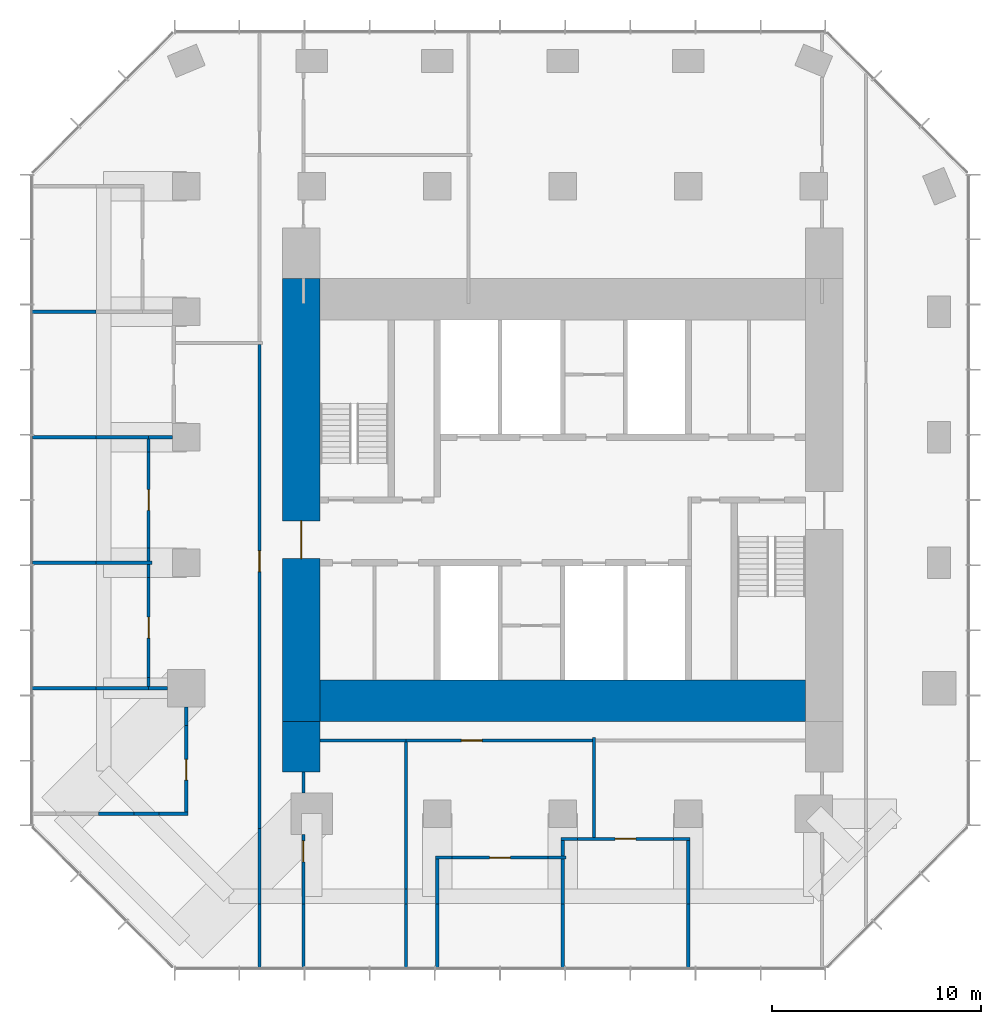
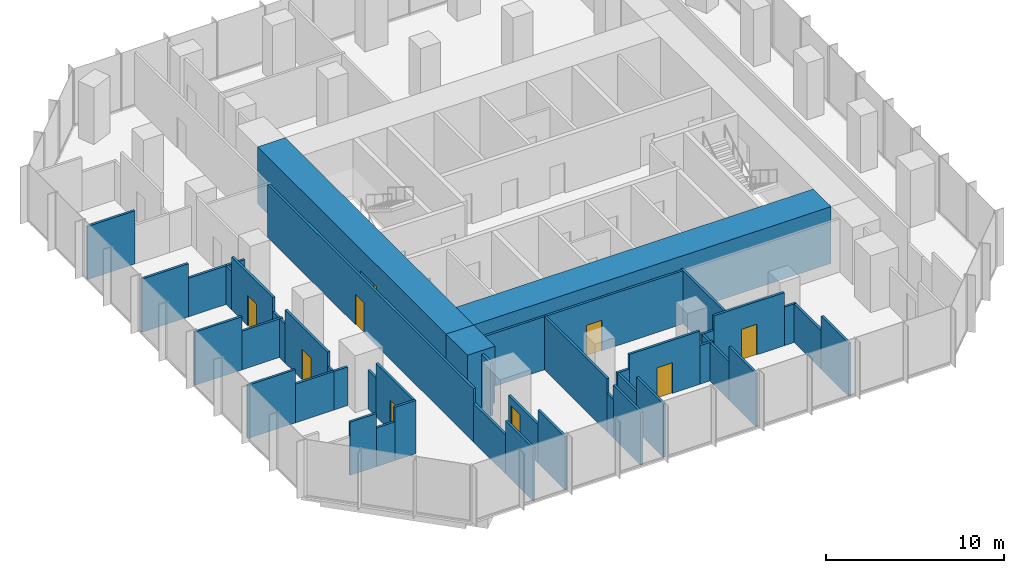
# One storey, part 8 of 11: 48 walls, 9 doors, 9 openings.
"""IFC4 building model written with IfcOpenShell, lengths in metres."""

import ifcopenshell
import ifcopenshell.guid

model = None  # the IFC model being written
_history = None  # IfcOwnerHistory: only IFC2X3 demands one
_inside = {}  # id of a spatial element -> (the spatial element, [elements in it])
_under = {}  # id of a project, library or spatial element -> (it, [spatial elements below it])
_declared = {}  # id of a project -> (the project, [libraries it declares])
_typed = {}  # id of a type object -> (the type object, [elements of that type])
_made_of = {}  # id of a material, layer set ... -> (it, [elements and type objects made of it])


def new_model(schema):
    """Start an empty IFC model of exactly this schema.

    Asked for "IFC4X3", IfcOpenShell would pick the latest addendum, in which some entities
    have other attributes; the version numbers below select the first issue.
    IFC2X3 requires an IfcOwnerHistory on every rooted entity: one is made here for all.
    """
    global model, _history
    if schema == "IFC4X3":
        model = ifcopenshell.file(schema_version=(4, 3, 0, 0))
    else:
        model = ifcopenshell.file(schema=schema)
    _inside.clear()
    _under.clear()
    _declared.clear()
    _typed.clear()
    _made_of.clear()
    _history = None
    if model.schema == "IFC2X3":
        org = make("IfcOrganization", Name="unknown")
        user = make(
            "IfcPersonAndOrganization",
            ThePerson=make("IfcPerson", FamilyName="unknown"),
            TheOrganization=org,
        )
        app = make(
            "IfcApplication",
            ApplicationDeveloper=org,
            Version="unknown",
            ApplicationFullName="unknown",
            ApplicationIdentifier="unknown",
        )
        _history = make(
            "IfcOwnerHistory",
            OwningUser=user,
            OwningApplication=app,
            ChangeAction="ADDED",
            CreationDate=0,
        )
    return model


def make(cls, **values):
    """One entity of the class cls with the attributes given. An attribute that is None is left unset."""
    return model.create_entity(
        cls, **{name: value for name, value in values.items() if value is not None}
    )


def rooted(cls, **values):
    """An entity with a GlobalId (a new one), such as an element, a storey or a relation."""
    return make(cls, GlobalId=ifcopenshell.guid.new(), OwnerHistory=_history, **values)


def si_unit(unit_type, name, prefix=None):
    """IfcSIUnit, for example si_unit("LENGTHUNIT", "METRE", prefix="MILLI")."""
    return make("IfcSIUnit", UnitType=unit_type, Prefix=prefix, Name=name)


def assignment(units):
    """IfcUnitAssignment: the units of a project."""
    return None if units is None else make("IfcUnitAssignment", Units=units)


def point(xyz):
    """IfcCartesianPoint."""
    return None if xyz is None else make("IfcCartesianPoint", Coordinates=xyz)


def direction(xyz):
    """IfcDirection."""
    return None if xyz is None else make("IfcDirection", DirectionRatios=xyz)


def frame(location, z_axis=None, x_axis=None):
    """IfcAxis2Placement3D, a coordinate frame: its origin and axes. An axis left out is left unset."""
    return make(
        "IfcAxis2Placement3D",
        Location=point(location),
        Axis=direction(z_axis),
        RefDirection=direction(x_axis),
    )


def frame_2d(location, x_axis=None):
    """IfcAxis2Placement2D, a coordinate frame in the plane: its origin and x axis."""
    return make(
        "IfcAxis2Placement2D", Location=point(location), RefDirection=direction(x_axis)
    )


def origin():
    """The frame at (0, 0, 0) with its axes left unset."""
    return frame((0.0, 0.0, 0.0))


def place(relative_to, where):
    """IfcLocalPlacement: puts the frame where relative to a parent placement (None: the world)."""
    return make(
        "IfcLocalPlacement", PlacementRelTo=relative_to, RelativePlacement=where
    )


def context(
    kind, dimensions, precision=None, world=None, true_north=None, identifier=None
):
    """IfcGeometricRepresentationContext, for example the 3D "Model" context."""
    return make(
        "IfcGeometricRepresentationContext",
        ContextIdentifier=identifier,
        ContextType=kind,
        CoordinateSpaceDimension=dimensions,
        Precision=precision,
        WorldCoordinateSystem=world,
        TrueNorth=true_north,
    )


def subcontext(parent, identifier, kind, view, scale=None):
    """IfcGeometricRepresentationSubContext, for example "Body" below "Model"."""
    return make(
        "IfcGeometricRepresentationSubContext",
        ContextIdentifier=identifier,
        ContextType=kind,
        ParentContext=parent,
        TargetScale=scale,
        TargetView=view,
    )


def project(units=None, contexts=None):
    """IfcProject with its units and contexts."""
    return rooted(
        "IfcProject",
        Name="project",
        RepresentationContexts=contexts,
        UnitsInContext=assignment(units),
    )


def spatial(cls, under=None, at=None, **own):
    """A site, building, storey or space (cls), placed at a placement, below another one or the project."""
    s = rooted(cls, ObjectPlacement=at, **own)
    if under is not None:
        _under.setdefault(under.id(), (under, []))[1].append(s)
    return s


def profile(cls, at=None, kind="AREA", **sizes):
    """A parametric profile (cls). Its sizes go by their IFC names, for example OverallWidth=200.0."""
    return make(cls, ProfileType=kind, Position=at, **sizes)


def rectangle(**sizes):
    """IfcRectangleProfileDef."""
    return profile("IfcRectangleProfileDef", **sizes)


def extrude(swept, where, along, depth):
    """IfcExtrudedAreaSolid: the profile swept, set in the frame where, extruded along a direction by depth."""
    return make(
        "IfcExtrudedAreaSolid",
        SweptArea=swept,
        Position=where,
        ExtrudedDirection=direction(along),
        Depth=depth,
    )


def shape(context_of_items, identifier, shape_type, items):
    """IfcShapeRepresentation: the items that make up one representation, for example the "Body"."""
    return make(
        "IfcShapeRepresentation",
        ContextOfItems=context_of_items,
        RepresentationIdentifier=identifier,
        RepresentationType=shape_type,
        Items=items,
    )


def material(Name=None, Category=None):
    """IfcMaterial."""
    return make("IfcMaterial", Name=Name, Category=Category)


def layer(
    of_material, thickness, ventilated=None, Name=None, Category=None, Priority=None
):
    """IfcMaterialLayer: one layer of a wall or slab, of a material (None: an air gap)."""
    return make(
        "IfcMaterialLayer",
        Material=of_material,
        LayerThickness=thickness,
        IsVentilated=ventilated,
        Name=Name,
        Category=Category,
        Priority=Priority,
    )


def layer_set(layers, Name=None):
    """IfcMaterialLayerSet."""
    return make("IfcMaterialLayerSet", MaterialLayers=layers, LayerSetName=Name)


def made_of(thing, what):
    """Note that an element or type object is made of a material, layer set ...; save() writes the relation."""
    if what is not None:
        _made_of.setdefault(what.id(), (what, []))[1].append(thing)
    return thing


def type_object(cls, material=None, **own):
    """A type object (cls), such as IfcWallType, which elements share."""
    return made_of(rooted(cls, **own), material)


def element(
    cls,
    number,
    at=None,
    inside=None,
    cuts=None,
    type_object=None,
    material=None,
    context=None,
    identifier="Body",
    shape_type=None,
    held_by="IfcProductDefinitionShape",
    body=None,
    shapes=None,
    **own,
):
    """One element of the class cls, such as IfcWall. Its Tag is "e" and its number.

    at: its placement. inside: the storey or other place that contains it. cuts: it is an
    opening in that element (IfcRelVoidsElement). A single representation is given by context,
    identifier, shape_type and body (its items); several are given by shapes. held_by: the class
    of the entity that holds the representations. save() writes the other relations.
    """
    e = rooted(cls, Tag="e%d" % number, ObjectPlacement=at, **own)
    if body is not None:
        shapes = [shape(context, identifier, shape_type, body)]
    if shapes is not None:
        e.Representation = make(held_by, Representations=shapes)
    if inside is not None:
        _inside.setdefault(inside.id(), (inside, []))[1].append(e)
    if cuts is not None:
        rooted(
            "IfcRelVoidsElement", RelatingBuildingElement=cuts, RelatedOpeningElement=e
        )
    if type_object is not None:
        _typed.setdefault(type_object.id(), (type_object, []))[1].append(e)
    return made_of(e, material)


def fill(opening, filler):
    """IfcRelFillsElement: the door or window that sits in an opening."""
    return rooted(
        "IfcRelFillsElement",
        RelatingOpeningElement=opening,
        RelatedBuildingElement=filler,
    )


def aggregate(whole, parts):
    """IfcRelAggregates: a whole, such as a stair, and the parts it consists of."""
    return rooted("IfcRelAggregates", RelatingObject=whole, RelatedObjects=parts)


def save(model, path):
    """Write the relations noted so far, then the file.

    IfcRelAggregates (storeys below a building ...), IfcRelContainedInSpatialStructure (elements
    in a storey), IfcRelDefinesByType, IfcRelAssociatesMaterial and IfcRelDeclares: one each for
    every whole, place, type object, material and project.
    """
    for whole, parts in _under.values():
        aggregate(whole, parts)
    for where, things in _inside.values():
        rooted(
            "IfcRelContainedInSpatialStructure",
            RelatedElements=things,
            RelatingStructure=where,
        )
    for kind, things in _typed.values():
        rooted("IfcRelDefinesByType", RelatedObjects=things, RelatingType=kind)
    for what, things in _made_of.values():
        rooted("IfcRelAssociatesMaterial", RelatedObjects=things, RelatingMaterial=what)
    for by, libraries in _declared.values():
        rooted("IfcRelDeclares", RelatingContext=by, RelatedDefinitions=libraries)
    model.write(path)


model = new_model("IFC4")

# Units and contexts
model_context = context("Model", 3, precision=1e-05, world=origin(), true_north=direction((0.0, 1.0)))
body_context = subcontext(model_context, "Body", "Model", "MODEL_VIEW")
ifc_project = project(units=[si_unit("LENGTHUNIT", "METRE"), si_unit("AREAUNIT", "SQUARE_METRE"), si_unit("VOLUMEUNIT", "CUBIC_METRE"), si_unit("PLANEANGLEUNIT", "RADIAN"), si_unit("MASSUNIT", "GRAM", prefix="KILO")], contexts=[model_context])

# Site, building, storey
site_placement = place(None, origin())
site = spatial("IfcSite", under=ifc_project, at=site_placement, CompositionType="ELEMENT")
building_placement = place(site_placement, origin())
building = spatial("IfcBuilding", under=site, at=building_placement, Name="Highveld Stack Headquarters", CompositionType="ELEMENT")
storey_placement = place(building_placement, frame((0.0, 0.0, 227.89990234375)))
storey = spatial("IfcBuildingStorey", under=building, at=storey_placement, Name="L56", CompositionType="ELEMENT", Elevation=227.89990234375)

# Wall, opening, door
ifc_material_1 = material(Name="Concrete C60/75", Category="concrete")
ifc_layer_1 = layer(ifc_material_1, 1.800048828125)
ifc_layer_set_1 = layer_set([ifc_layer_1], Name="Concrete C60/75")
wall_type_1 = type_object("IfcWallType", Name="CORE WALL 1800 C60/75", PredefinedType="SHEAR", material=ifc_layer_set_1)
wall_1_placement = place(storey_placement, frame((-6.5, -7.60009765625, 0.0), z_axis=(0.0, 0.0, 1.0), x_axis=(0.0, 1.0, 0.0)))
wall_1 = element("IfcWall", 1, at=wall_1_placement, inside=storey, type_object=wall_type_1, Name="Core wall W L56", PredefinedType="SHEAR", context=body_context, shape_type="SweptSolid", body=[
    extrude(rectangle(XDim=21.2001953125, YDim=1.800048828125, at=frame_2d((10.60009765625, 0.0))), origin(), (0.0, 0.0, 1.0), 3.900146484375),
])
opening_1_placement = place(wall_1_placement, frame((7.800048828125, 0.0, 0.0)))
opening_1 = element("IfcOpeningElement", 2, at=opening_1_placement, cuts=wall_1, Name="Opening L56-01", PredefinedType="OPENING", context=body_context, shape_type="SweptSolid", body=[
    extrude(rectangle(XDim=1.800048828125, YDim=2.39990234375, at=frame_2d((0.89990234375, 1.199951171875))), frame((0.0, 0.909912109375, 0.0), z_axis=(0.0, -1.0, 0.0), x_axis=(1.0, 0.0, 0.0)), (0.0, 0.0, 1.0), 1.820068359375),
])
ifc_material_2 = material(Name="Steel fire door", Category="steel")
door_type_1 = type_object("IfcDoorType", Name="LOBBY FIRE DOOR D4 1800x2400", OperationType="DOUBLE_DOOR_SINGLE_SWING", PredefinedType="DOOR", material=ifc_material_2)
door_1_placement = place(opening_1_placement, origin())
door_1 = element("IfcDoor", 3, at=door_1_placement, inside=storey, type_object=door_type_1, Name="Core west door L56", OperationType="DOUBLE_DOOR_SINGLE_SWING", OverallHeight=2.39990234375, OverallWidth=1.800048828125, PredefinedType="DOOR", context=body_context, shape_type="SweptSolid", body=[
    extrude(rectangle(XDim=1.800048828125, YDim=2.39990234375, at=frame_2d((0.89990234375, 1.199951171875))), frame((0.0, 0.02490234375, 0.0), z_axis=(0.0, -1.0, 0.0), x_axis=(1.0, 0.0, 0.0)), (0.0, 0.0, 1.0), 0.050048828125),
])
fill(opening_1, door_1)

# Walls
ifc_material_3 = material(Name="Concrete C60/75", Category="concrete")
ifc_layer_2 = layer(ifc_material_3, 2.0)
ifc_layer_set_2 = layer_set([ifc_layer_2], Name="Concrete C60/75")
wall_type_2 = type_object("IfcWallType", Name="CORE WALL 2000 C60/75", PredefinedType="SHEAR", material=ifc_layer_set_2)
wall_2_placement = place(storey_placement, frame((-5.60009765625, -6.60009765625, 0.0), z_axis=(0.0, 0.0, 1.0), x_axis=(1.0, 0.0, 0.0)))
element("IfcWall", 4, at=wall_2_placement, inside=storey, type_object=wall_type_2, Name="Core wall S L56", PredefinedType="SHEAR", context=body_context, shape_type="SweptSolid", body=[
    extrude(rectangle(XDim=23.2001953125, YDim=2.0, at=frame_2d((11.60009765625, 0.0))), origin(), (0.0, 0.0, 1.0), 3.900146484375),
])
ifc_material_4 = material(Name="Concrete C60/75", Category="concrete")
ifc_layer_3 = layer(ifc_material_4, 1.800048828125)
ifc_layer_set_3 = layer_set([ifc_layer_3], Name="Concrete C60/75")
wall_type_3 = type_object("IfcWallType", Name="CORE WING WALL 1800 C60/75", PredefinedType="SHEAR", material=ifc_layer_set_3)
wall_3_placement = place(storey_placement, frame((-6.5, -10.0, 0.0), z_axis=(0.0, 0.0, 1.0), x_axis=(0.0, 1.0, 0.0)))
element("IfcWall", 5, at=wall_3_placement, inside=storey, type_object=wall_type_3, Name="Core wing wall WS L56", PredefinedType="SHEAR", context=body_context, shape_type="SweptSolid", body=[
    extrude(rectangle(XDim=2.39990234375, YDim=1.800048828125, at=frame_2d((1.199951171875, 0.0))), origin(), (0.0, 0.0, 1.0), 3.900146484375),
])

# Wall, opening, door
ifc_material_5 = material(Name="Laminated glass in aluminium frame", Category="aluminium")
ifc_layer_4 = layer(ifc_material_5, 0.14990234375)
ifc_layer_set_4 = layer_set([ifc_layer_4], Name="Laminated glass in aluminium frame")
wall_type_4 = type_object("IfcWallType", Name="GLAZED PARTITION 150", PredefinedType="PARTITIONING", material=ifc_layer_set_4)
wall_4_placement = place(storey_placement, frame((-12.0, -11.925048828125, 0.0), z_axis=(0.0, 0.0, 1.0), x_axis=(0.0, 1.0, 0.0)))
wall_4 = element("IfcWall", 6, at=wall_4_placement, inside=storey, type_object=wall_type_4, Name="Glazed partition Meeting room L56", PredefinedType="PARTITIONING", context=body_context, shape_type="SweptSolid", body=[
    extrude(rectangle(XDim=4.133056640625, YDim=0.14990234375, at=frame_2d((2.06640625, 0.0))), origin(), (0.0, 0.0, 1.0), 3.650146484375),
])
opening_2_placement = place(wall_4_placement, frame((1.529052734375, 0.0, 0.0)))
opening_2 = element("IfcOpeningElement", 7, at=opening_2_placement, cuts=wall_4, Name="Opening L56-17", PredefinedType="OPENING", context=body_context, shape_type="SweptSolid", body=[
    extrude(rectangle(XDim=1.0, YDim=2.10009765625, at=frame_2d((0.5, 1.050048828125))), frame((0.0, 0.0849609375, 0.0), z_axis=(0.0, -1.0, 0.0), x_axis=(1.0, 0.0, 0.0)), (0.0, 0.0, 1.0), 0.169921875),
])
ifc_material_6 = material(Name="Timber door, oiled ash", Category="wood")
door_type_2 = type_object("IfcDoorType", Name="ROOM DOOR D6 1000x2100", OperationType="SINGLE_SWING_LEFT", PredefinedType="DOOR", material=ifc_material_6)
door_2_placement = place(opening_2_placement, origin())
door_2 = element("IfcDoor", 8, at=door_2_placement, inside=storey, type_object=door_type_2, Name="Meeting room door 1 L56", OperationType="SINGLE_SWING_LEFT", OverallHeight=2.10009765625, OverallWidth=1.0, PredefinedType="DOOR", context=body_context, shape_type="SweptSolid", body=[
    extrude(rectangle(XDim=1.0, YDim=2.10009765625, at=frame_2d((0.5, 1.050048828125))), frame((0.0, 0.02490234375, 0.0), z_axis=(0.0, -1.0, 0.0), x_axis=(1.0, 0.0, 0.0)), (0.0, 0.0, 1.0), 0.050048828125),
])
fill(opening_2, door_2)

# Walls
wall_5_placement = place(storey_placement, frame((-12.0, -7.7919921875, 0.0), z_axis=(0.0, 0.0, 1.0), x_axis=(0.0, 1.0, 0.0)))
element("IfcWall", 9, at=wall_5_placement, inside=storey, type_object=wall_type_4, Name="Glazed partition Meeting room L56", PredefinedType="PARTITIONING", context=body_context, shape_type="SweptSolid", body=[
    extrude(rectangle(XDim=0.89208984375, YDim=0.14990234375, at=frame_2d((0.446044921875, 0.0))), origin(), (0.0, 0.0, 1.0), 2.650146484375),
])
ifc_material_7 = material(Name="Gypsum plasterboard on steel studs", Category="steel")
ifc_layer_5 = layer(ifc_material_7, 0.14990234375)
ifc_layer_set_5 = layer_set([ifc_layer_5], Name="Gypsum plasterboard on steel studs")
wall_type_5 = type_object("IfcWallType", Name="PARTITION 150 PLASTERBOARD", PredefinedType="PARTITIONING", material=ifc_layer_set_5)
wall_6_placement = place(storey_placement, frame((-0.074951171875, -14.10009765625, 0.0), z_axis=(0.0, 0.0, 1.0), x_axis=(1.0, 0.0, 0.0)))
element("IfcWall", 10, at=wall_6_placement, inside=storey, type_object=wall_type_5, Name="Partition Focus room L56", PredefinedType="PARTITIONING", context=body_context, shape_type="SweptSolid", body=[
    extrude(rectangle(XDim=0.784912109375, YDim=0.14990234375, at=frame_2d((0.392578125, 0.0))), origin(), (0.0, 0.0, 1.0), 2.650146484375),
])

# Wall, opening, door
wall_7_placement = place(storey_placement, frame((0.7099609375, -14.10009765625, 0.0), z_axis=(0.0, 0.0, 1.0), x_axis=(1.0, 0.0, 0.0)))
wall_7 = element("IfcWall", 11, at=wall_7_placement, inside=storey, type_object=wall_type_5, Name="Partition Focus room L56", PredefinedType="PARTITIONING", context=body_context, shape_type="SweptSolid", body=[
    extrude(rectangle(XDim=4.580078125, YDim=0.14990234375, at=frame_2d((2.2900390625, 0.0))), origin(), (0.0, 0.0, 1.0), 3.650146484375),
])
opening_3_placement = place(wall_7_placement, frame((1.7900390625, 0.0, 0.0)))
opening_3 = element("IfcOpeningElement", 12, at=opening_3_placement, cuts=wall_7, Name="Opening L56-15", PredefinedType="OPENING", context=body_context, shape_type="SweptSolid", body=[
    extrude(rectangle(XDim=1.0, YDim=2.10009765625, at=frame_2d((0.5, 1.050048828125))), frame((0.0, 0.0849609375, 0.0), z_axis=(0.0, -1.0, 0.0), x_axis=(1.0, 0.0, 0.0)), (0.0, 0.0, 1.0), 0.169921875),
])
door_3_placement = place(opening_3_placement, origin())
door_3 = element("IfcDoor", 13, at=door_3_placement, inside=storey, type_object=door_type_2, Name="Focus room door 1 L56", OperationType="SINGLE_SWING_RIGHT", OverallHeight=2.10009765625, OverallWidth=1.0, PredefinedType="DOOR", context=body_context, shape_type="SweptSolid", body=[
    extrude(rectangle(XDim=1.0, YDim=2.10009765625, at=frame_2d((0.5, 1.050048828125))), frame((0.0, 0.02490234375, 0.0), z_axis=(0.0, -1.0, 0.0), x_axis=(1.0, 0.0, 0.0)), (0.0, 0.0, 1.0), 0.050048828125),
])
fill(opening_3, door_3)

# Walls
wall_8_placement = place(storey_placement, frame((5.2900390625, -14.10009765625, 0.0), z_axis=(0.0, 0.0, 1.0), x_axis=(1.0, 0.0, 0.0)))
element("IfcWall", 14, at=wall_8_placement, inside=storey, type_object=wall_type_5, Name="Partition Focus room L56", PredefinedType="PARTITIONING", context=body_context, shape_type="SweptSolid", body=[
    extrude(rectangle(XDim=0.85986328125, YDim=0.14990234375, at=frame_2d((0.429931640625, 0.0))), origin(), (0.0, 0.0, 1.0), 2.650146484375),
])
wall_9_placement = place(storey_placement, frame((5.925048828125, -13.199951171875, 0.0), z_axis=(0.0, 0.0, 1.0), x_axis=(1.0, 0.0, 0.0)))
element("IfcWall", 15, at=wall_9_placement, inside=storey, type_object=wall_type_5, Name="Partition Tea kitchen L56", PredefinedType="PARTITIONING", context=body_context, shape_type="SweptSolid", body=[
    extrude(rectangle(XDim=0.784912109375, YDim=0.14990234375, at=frame_2d((0.392578125, 0.0))), origin(), (0.0, 0.0, 1.0), 2.650146484375),
])

# Wall, opening, door
wall_10_placement = place(storey_placement, frame((6.7099609375, -13.199951171875, 0.0), z_axis=(0.0, 0.0, 1.0), x_axis=(1.0, 0.0, 0.0)))
wall_10 = element("IfcWall", 16, at=wall_10_placement, inside=storey, type_object=wall_type_5, Name="Partition Tea kitchen L56", PredefinedType="PARTITIONING", context=body_context, shape_type="SweptSolid", body=[
    extrude(rectangle(XDim=4.580078125, YDim=0.14990234375, at=frame_2d((2.2900390625, 0.0))), origin(), (0.0, 0.0, 1.0), 3.650146484375),
])
opening_4_placement = place(wall_10_placement, frame((1.7900390625, 0.0, 0.0)))
opening_4 = element("IfcOpeningElement", 17, at=opening_4_placement, cuts=wall_10, Name="Opening L56-16", PredefinedType="OPENING", context=body_context, shape_type="SweptSolid", body=[
    extrude(rectangle(XDim=1.0, YDim=2.10009765625, at=frame_2d((0.5, 1.050048828125))), frame((0.0, 0.0849609375, 0.0), z_axis=(0.0, -1.0, 0.0), x_axis=(1.0, 0.0, 0.0)), (0.0, 0.0, 1.0), 0.169921875),
])
door_4_placement = place(opening_4_placement, origin())
door_4 = element("IfcDoor", 18, at=door_4_placement, inside=storey, type_object=door_type_2, Name="Tea kitchen door 1 L56", OperationType="SINGLE_SWING_LEFT", OverallHeight=2.10009765625, OverallWidth=1.0, PredefinedType="DOOR", context=body_context, shape_type="SweptSolid", body=[
    extrude(rectangle(XDim=1.0, YDim=2.10009765625, at=frame_2d((0.5, 1.050048828125))), frame((0.0, 0.02490234375, 0.0), z_axis=(0.0, -1.0, 0.0), x_axis=(1.0, 0.0, 0.0)), (0.0, 0.0, 1.0), 0.050048828125),
])
fill(opening_4, door_4)

# Walls
wall_11_placement = place(storey_placement, frame((11.2900390625, -13.199951171875, 0.0), z_axis=(0.0, 0.0, 1.0), x_axis=(1.0, 0.0, 0.0)))
element("IfcWall", 19, at=wall_11_placement, inside=storey, type_object=wall_type_5, Name="Partition Tea kitchen L56", PredefinedType="PARTITIONING", context=body_context, shape_type="SweptSolid", body=[
    extrude(rectangle(XDim=0.784912109375, YDim=0.14990234375, at=frame_2d((0.392578125, 0.0))), origin(), (0.0, 0.0, 1.0), 2.650146484375),
])
wall_12_placement = place(storey_placement, frame((-16.2080078125, -12.0, 0.0), z_axis=(0.0, 0.0, 1.0), x_axis=(1.0, 0.0, 0.0)))
element("IfcWall", 20, at=wall_12_placement, inside=storey, type_object=wall_type_5, Name="Partition Meeting room L56", PredefinedType="PARTITIONING", context=body_context, shape_type="SweptSolid", body=[
    extrude(rectangle(XDim=1.718017578125, YDim=0.14990234375, at=frame_2d((0.85888671875, 0.0))), origin(), (0.0, 0.0, 1.0), 3.650146484375),
])
wall_13_placement = place(storey_placement, frame((-14.489990234375, -12.0, 0.0), z_axis=(0.0, 0.0, 1.0), x_axis=(1.0, 0.0, 0.0)))
element("IfcWall", 21, at=wall_13_placement, inside=storey, type_object=wall_type_5, Name="Partition Meeting room L56", PredefinedType="PARTITIONING", context=body_context, shape_type="SweptSolid", body=[
    extrude(rectangle(XDim=1.179931640625, YDim=0.14990234375, at=frame_2d((0.58984375, 0.0))), origin(), (0.0, 0.0, 1.0), 2.650146484375),
])
wall_14_placement = place(storey_placement, frame((-13.31005859375, -12.0, 0.0), z_axis=(0.0, 0.0, 1.0), x_axis=(1.0, 0.0, 0.0)))
element("IfcWall", 22, at=wall_14_placement, inside=storey, type_object=wall_type_5, Name="Partition Meeting room L56", PredefinedType="PARTITIONING", context=body_context, shape_type="SweptSolid", body=[
    extrude(rectangle(XDim=1.385009765625, YDim=0.14990234375, at=frame_2d((0.6923828125, 0.0))), origin(), (0.0, 0.0, 1.0), 3.650146484375),
])
wall_15_placement = place(storey_placement, frame((-19.39990234375, -6.0, 0.0), z_axis=(0.0, 0.0, 1.0), x_axis=(1.0, 0.0, 0.0)))
element("IfcWall", 23, at=wall_15_placement, inside=storey, type_object=wall_type_5, Name="Partition Meeting room / Print room L56", PredefinedType="PARTITIONING", context=body_context, shape_type="SweptSolid", body=[
    extrude(rectangle(XDim=3.08984375, YDim=0.14990234375, at=frame_2d((1.544921875, 0.0))), origin(), (0.0, 0.0, 1.0), 3.650146484375),
])
wall_16_placement = place(storey_placement, frame((-16.31005859375, -6.0, 0.0), z_axis=(0.0, 0.0, 1.0), x_axis=(1.0, 0.0, 0.0)))
element("IfcWall", 24, at=wall_16_placement, inside=storey, type_object=wall_type_5, Name="Partition Meeting room / Print room L56", PredefinedType="PARTITIONING", context=body_context, shape_type="SweptSolid", body=[
    extrude(rectangle(XDim=2.5849609375, YDim=0.14990234375, at=frame_2d((1.29248046875, 0.0))), origin(), (0.0, 0.0, 1.0), 2.650146484375),
])
wall_17_placement = place(storey_placement, frame((-13.800048828125, -6.0, 0.0), z_axis=(0.0, 0.0, 1.0), x_axis=(1.0, 0.0, 0.0)))
element("IfcWall", 25, at=wall_17_placement, inside=storey, type_object=wall_type_5, Name="Partition Meeting room L56", PredefinedType="PARTITIONING", context=body_context, shape_type="SweptSolid", body=[
    extrude(rectangle(XDim=0.900146484375, YDim=0.14990234375, at=frame_2d((0.4501953125, 0.0))), origin(), (0.0, 0.0, 1.0), 2.650146484375),
])
wall_18_placement = place(storey_placement, frame((-19.35009765625, 0.0, 0.0), z_axis=(0.0, 0.0, 1.0), x_axis=(1.0, 0.0, 0.0)))
element("IfcWall", 26, at=wall_18_placement, inside=storey, type_object=wall_type_5, Name="Partition Print room L56", PredefinedType="PARTITIONING", context=body_context, shape_type="SweptSolid", body=[
    extrude(rectangle(XDim=3.0400390625, YDim=0.14990234375, at=frame_2d((1.52001953125, 0.0))), origin(), (0.0, 0.0, 1.0), 3.650146484375),
])
wall_19_placement = place(storey_placement, frame((-16.31005859375, 0.0, 0.0), z_axis=(0.0, 0.0, 1.0), x_axis=(1.0, 0.0, 0.0)))
element("IfcWall", 27, at=wall_19_placement, inside=storey, type_object=wall_type_5, Name="Partition Print room L56", PredefinedType="PARTITIONING", context=body_context, shape_type="SweptSolid", body=[
    extrude(rectangle(XDim=2.66015625, YDim=0.14990234375, at=frame_2d((1.330078125, 0.0))), origin(), (0.0, 0.0, 1.0), 2.650146484375),
])
wall_20_placement = place(storey_placement, frame((-19.35009765625, 6.0, 0.0), z_axis=(0.0, 0.0, 1.0), x_axis=(1.0, 0.0, 0.0)))
element("IfcWall", 28, at=wall_20_placement, inside=storey, type_object=wall_type_5, Name="Partition Print room / Video conference room L56", PredefinedType="PARTITIONING", context=body_context, shape_type="SweptSolid", body=[
    extrude(rectangle(XDim=3.0400390625, YDim=0.14990234375, at=frame_2d((1.52001953125, 0.0))), origin(), (0.0, 0.0, 1.0), 3.650146484375),
])
wall_21_placement = place(storey_placement, frame((-16.31005859375, 6.0, 0.0), z_axis=(0.0, 0.0, 1.0), x_axis=(1.0, 0.0, 0.0)))
element("IfcWall", 29, at=wall_21_placement, inside=storey, type_object=wall_type_5, Name="Partition Print room / Video conference room L56", PredefinedType="PARTITIONING", context=body_context, shape_type="SweptSolid", body=[
    extrude(rectangle(XDim=2.5849609375, YDim=0.14990234375, at=frame_2d((1.29248046875, 0.0))), origin(), (0.0, 0.0, 1.0), 2.650146484375),
])
wall_22_placement = place(storey_placement, frame((-13.800048828125, 6.0, 0.0), z_axis=(0.0, 0.0, 1.0), x_axis=(1.0, 0.0, 0.0)))
element("IfcWall", 30, at=wall_22_placement, inside=storey, type_object=wall_type_5, Name="Partition Video conference room L56", PredefinedType="PARTITIONING", context=body_context, shape_type="SweptSolid", body=[
    extrude(rectangle(XDim=1.150146484375, YDim=0.14990234375, at=frame_2d((0.5751953125, 0.0))), origin(), (0.0, 0.0, 1.0), 2.650146484375),
])
wall_23_placement = place(storey_placement, frame((-19.39990234375, 12.0, 0.0), z_axis=(0.0, 0.0, 1.0), x_axis=(1.0, 0.0, 0.0)))
element("IfcWall", 31, at=wall_23_placement, inside=storey, type_object=wall_type_5, Name="Partition Focus room / Video conference room L56", PredefinedType="PARTITIONING", context=body_context, shape_type="SweptSolid", body=[
    extrude(rectangle(XDim=3.08984375, YDim=0.14990234375, at=frame_2d((1.544921875, 0.0))), origin(), (0.0, 0.0, 1.0), 3.650146484375),
])
wall_24_placement = place(storey_placement, frame((-13.800048828125, -5.925048828125, 0.0), z_axis=(0.0, 0.0, 1.0), x_axis=(0.0, 1.0, 0.0)))
element("IfcWall", 32, at=wall_24_placement, inside=storey, type_object=wall_type_5, Name="Partition Print room L56", PredefinedType="PARTITIONING", context=body_context, shape_type="SweptSolid", body=[
    extrude(rectangle(XDim=0.43505859375, YDim=0.14990234375, at=frame_2d((0.217529296875, 0.0))), origin(), (0.0, 0.0, 1.0), 2.650146484375),
])

# Wall, opening, door
wall_25_placement = place(storey_placement, frame((-13.800048828125, -5.489990234375, 0.0), z_axis=(0.0, 0.0, 1.0), x_axis=(0.0, 1.0, 0.0)))
wall_25 = element("IfcWall", 33, at=wall_25_placement, inside=storey, type_object=wall_type_5, Name="Partition Print room L56", PredefinedType="PARTITIONING", context=body_context, shape_type="SweptSolid", body=[
    extrude(rectangle(XDim=4.780029296875, YDim=0.14990234375, at=frame_2d((2.39013671875, 0.0))), origin(), (0.0, 0.0, 1.0), 3.650146484375),
])
opening_5_placement = place(wall_25_placement, frame((1.889892578125, 0.0, 0.0)))
opening_5 = element("IfcOpeningElement", 34, at=opening_5_placement, cuts=wall_25, Name="Opening L56-18", PredefinedType="OPENING", context=body_context, shape_type="SweptSolid", body=[
    extrude(rectangle(XDim=1.0, YDim=2.10009765625, at=frame_2d((0.5, 1.050048828125))), frame((0.0, 0.0849609375, 0.0), z_axis=(0.0, -1.0, 0.0), x_axis=(1.0, 0.0, 0.0)), (0.0, 0.0, 1.0), 0.169921875),
])
door_5_placement = place(opening_5_placement, origin())
door_5 = element("IfcDoor", 35, at=door_5_placement, inside=storey, type_object=door_type_2, Name="Print room door 1 L56", OperationType="SINGLE_SWING_LEFT", OverallHeight=2.10009765625, OverallWidth=1.0, PredefinedType="DOOR", context=body_context, shape_type="SweptSolid", body=[
    extrude(rectangle(XDim=1.0, YDim=2.10009765625, at=frame_2d((0.5, 1.050048828125))), frame((0.0, 0.02490234375, 0.0), z_axis=(0.0, -1.0, 0.0), x_axis=(1.0, 0.0, 0.0)), (0.0, 0.0, 1.0), 0.050048828125),
])
fill(opening_5, door_5)

# Walls
for number, where, z_axis, x_axis, name in (
    (36, (-13.800048828125, -0.7099609375, 0.0), (0.0, 0.0, 1.0), (0.0, 1.0, 0.0), "Partition Print room L56"),
    (37, (-13.800048828125, 0.074951171875, 0.0), (0.0, 0.0, 1.0), (0.0, 1.0, 0.0), "Partition Print room L56"),
):
    element("IfcWall", number, at=place(storey_placement, frame(where, z_axis=z_axis, x_axis=x_axis)), inside=storey, type_object=wall_type_5, Name=name, PredefinedType="PARTITIONING", context=body_context, shape_type="SweptSolid", body=[
        extrude(rectangle(XDim=0.635009765625, YDim=0.14990234375, at=frame_2d((0.3173828125, 0.0))), origin(), (0.0, 0.0, 1.0), 2.650146484375),
    ])

# Wall, opening, door
wall_26_placement = place(storey_placement, frame((-13.800048828125, 0.7099609375, 0.0), z_axis=(0.0, 0.0, 1.0), x_axis=(0.0, 1.0, 0.0)))
wall_26 = element("IfcWall", 38, at=wall_26_placement, inside=storey, type_object=wall_type_5, Name="Partition Print room L56", PredefinedType="PARTITIONING", context=body_context, shape_type="SweptSolid", body=[
    extrude(rectangle(XDim=4.580078125, YDim=0.14990234375, at=frame_2d((2.2900390625, 0.0))), origin(), (0.0, 0.0, 1.0), 3.650146484375),
])
opening_6_placement = place(wall_26_placement, frame((1.7900390625, 0.0, 0.0)))
opening_6 = element("IfcOpeningElement", 39, at=opening_6_placement, cuts=wall_26, Name="Opening L56-19", PredefinedType="OPENING", context=body_context, shape_type="SweptSolid", body=[
    extrude(rectangle(XDim=1.0, YDim=2.10009765625, at=frame_2d((0.5, 1.050048828125))), frame((0.0, 0.0849609375, 0.0), z_axis=(0.0, -1.0, 0.0), x_axis=(1.0, 0.0, 0.0)), (0.0, 0.0, 1.0), 0.169921875),
])
door_6_placement = place(opening_6_placement, origin())
door_6 = element("IfcDoor", 40, at=door_6_placement, inside=storey, type_object=door_type_2, Name="Print room door 1 L56", OperationType="SINGLE_SWING_RIGHT", OverallHeight=2.10009765625, OverallWidth=1.0, PredefinedType="DOOR", context=body_context, shape_type="SweptSolid", body=[
    extrude(rectangle(XDim=1.0, YDim=2.10009765625, at=frame_2d((0.5, 1.050048828125))), frame((0.0, 0.02490234375, 0.0), z_axis=(0.0, -1.0, 0.0), x_axis=(1.0, 0.0, 0.0)), (0.0, 0.0, 1.0), 0.050048828125),
])
fill(opening_6, door_6)

# Walls
wall_27_placement = place(storey_placement, frame((-13.800048828125, 5.2900390625, 0.0), z_axis=(0.0, 0.0, 1.0), x_axis=(0.0, 1.0, 0.0)))
element("IfcWall", 41, at=wall_27_placement, inside=storey, type_object=wall_type_5, Name="Partition Print room L56", PredefinedType="PARTITIONING", context=body_context, shape_type="SweptSolid", body=[
    extrude(rectangle(XDim=0.635009765625, YDim=0.14990234375, at=frame_2d((0.3173828125, 0.0))), origin(), (0.0, 0.0, 1.0), 2.650146484375),
])
wall_28_placement = place(storey_placement, frame((0.0, -19.35009765625, 0.0), z_axis=(0.0, 0.0, 1.0), x_axis=(0.0, 1.0, 0.0)))
element("IfcWall", 42, at=wall_28_placement, inside=storey, type_object=wall_type_5, Name="Partition Focus room L56", PredefinedType="PARTITIONING", context=body_context, shape_type="SweptSolid", body=[
    extrude(rectangle(XDim=3.0400390625, YDim=0.14990234375, at=frame_2d((1.52001953125, 0.0))), origin(), (0.0, 0.0, 1.0), 3.650146484375),
])
wall_29_placement = place(storey_placement, frame((0.0, -16.31005859375, 0.0), z_axis=(0.0, 0.0, 1.0), x_axis=(0.0, 1.0, 0.0)))
element("IfcWall", 43, at=wall_29_placement, inside=storey, type_object=wall_type_5, Name="Partition Focus room L56", PredefinedType="PARTITIONING", context=body_context, shape_type="SweptSolid", body=[
    extrude(rectangle(XDim=2.135009765625, YDim=0.14990234375, at=frame_2d((1.0673828125, 0.0))), origin(), (0.0, 0.0, 1.0), 2.650146484375),
])
wall_30_placement = place(storey_placement, frame((6.0, -19.35009765625, 0.0), z_axis=(0.0, 0.0, 1.0), x_axis=(0.0, 1.0, 0.0)))
element("IfcWall", 44, at=wall_30_placement, inside=storey, type_object=wall_type_5, Name="Partition Focus room / Tea kitchen L56", PredefinedType="PARTITIONING", context=body_context, shape_type="SweptSolid", body=[
    extrude(rectangle(XDim=3.0400390625, YDim=0.14990234375, at=frame_2d((1.52001953125, 0.0))), origin(), (0.0, 0.0, 1.0), 3.650146484375),
])
wall_31_placement = place(storey_placement, frame((6.0, -16.31005859375, 0.0), z_axis=(0.0, 0.0, 1.0), x_axis=(0.0, 1.0, 0.0)))
element("IfcWall", 45, at=wall_31_placement, inside=storey, type_object=wall_type_5, Name="Partition Focus room / Tea kitchen L56", PredefinedType="PARTITIONING", context=body_context, shape_type="SweptSolid", body=[
    extrude(rectangle(XDim=2.135009765625, YDim=0.14990234375, at=frame_2d((1.0673828125, 0.0))), origin(), (0.0, 0.0, 1.0), 2.650146484375),
])
wall_32_placement = place(storey_placement, frame((6.0, -14.02490234375, 0.0), z_axis=(0.0, 0.0, 1.0), x_axis=(0.0, 1.0, 0.0)))
element("IfcWall", 46, at=wall_32_placement, inside=storey, type_object=wall_type_5, Name="Partition Tea kitchen L56", PredefinedType="PARTITIONING", context=body_context, shape_type="SweptSolid", body=[
    extrude(rectangle(XDim=0.75, YDim=0.14990234375, at=frame_2d((0.375, 0.0))), origin(), (0.0, 0.0, 1.0), 2.650146484375),
])
wall_33_placement = place(storey_placement, frame((12.0, -19.39990234375, 0.0), z_axis=(0.0, 0.0, 1.0), x_axis=(0.0, 1.0, 0.0)))
element("IfcWall", 47, at=wall_33_placement, inside=storey, type_object=wall_type_5, Name="Partition Tea kitchen L56", PredefinedType="PARTITIONING", context=body_context, shape_type="SweptSolid", body=[
    extrude(rectangle(XDim=3.08984375, YDim=0.14990234375, at=frame_2d((1.544921875, 0.0))), origin(), (0.0, 0.0, 1.0), 3.650146484375),
])
wall_34_placement = place(storey_placement, frame((12.0, -16.31005859375, 0.0), z_axis=(0.0, 0.0, 1.0), x_axis=(0.0, 1.0, 0.0)))
element("IfcWall", 48, at=wall_34_placement, inside=storey, type_object=wall_type_5, Name="Partition Tea kitchen L56", PredefinedType="PARTITIONING", context=body_context, shape_type="SweptSolid", body=[
    extrude(rectangle(XDim=3.03515625, YDim=0.14990234375, at=frame_2d((1.517578125, 0.0))), origin(), (0.0, 0.0, 1.0), 2.650146484375),
])
wall_35_placement = place(storey_placement, frame((-8.5, -19.39990234375, 0.0), z_axis=(0.0, 0.0, 1.0), x_axis=(0.0, 1.0, 0.0)))
element("IfcWall", 49, at=wall_35_placement, inside=storey, type_object=wall_type_5, Name="Partition office neighbourhood L56", PredefinedType="PARTITIONING", context=body_context, shape_type="SweptSolid", body=[
    extrude(rectangle(XDim=3.08984375, YDim=0.14990234375, at=frame_2d((1.544921875, 0.0))), origin(), (0.0, 0.0, 1.0), 3.650146484375),
])
wall_36_placement = place(storey_placement, frame((-8.5, -16.31005859375, 0.0), z_axis=(0.0, 0.0, 1.0), x_axis=(0.0, 1.0, 0.0)))
element("IfcWall", 50, at=wall_36_placement, inside=storey, type_object=wall_type_5, Name="Partition office neighbourhood L56", PredefinedType="PARTITIONING", context=body_context, shape_type="SweptSolid", body=[
    extrude(rectangle(XDim=3.60205078125, YDim=0.14990234375, at=frame_2d((1.801025390625, 0.0))), origin(), (0.0, 0.0, 1.0), 2.650146484375),
])

# Wall, opening, door
wall_37_placement = place(storey_placement, frame((-8.5, -12.7080078125, 0.0), z_axis=(0.0, 0.0, 1.0), x_axis=(0.0, 1.0, 0.0)))
wall_37 = element("IfcWall", 51, at=wall_37_placement, inside=storey, type_object=wall_type_5, Name="Partition office neighbourhood L56", PredefinedType="PARTITIONING", context=body_context, shape_type="SweptSolid", body=[
    extrude(rectangle(XDim=23.133056640625, YDim=0.14990234375, at=frame_2d((11.56640625, 0.0))), origin(), (0.0, 0.0, 1.0), 3.650146484375),
])
opening_7_placement = place(wall_37_placement, frame((12.27783203125, 0.0, 0.0)))
opening_7 = element("IfcOpeningElement", 52, at=opening_7_placement, cuts=wall_37, Name="Opening L56-23", PredefinedType="OPENING", context=body_context, shape_type="SweptSolid", body=[
    extrude(rectangle(XDim=1.0, YDim=2.10009765625, at=frame_2d((0.5, 1.050048828125))), frame((0.0, 0.0849609375, 0.0), z_axis=(0.0, -1.0, 0.0), x_axis=(1.0, 0.0, 0.0)), (0.0, 0.0, 1.0), 0.169921875),
])
door_7_placement = place(opening_7_placement, origin())
door_7 = element("IfcDoor", 53, at=door_7_placement, inside=storey, type_object=door_type_2, Name="Office neighbourhood door L56", OperationType="SINGLE_SWING_RIGHT", OverallHeight=2.10009765625, OverallWidth=1.0, PredefinedType="DOOR", context=body_context, shape_type="SweptSolid", body=[
    extrude(rectangle(XDim=1.0, YDim=2.10009765625, at=frame_2d((0.5, 1.050048828125))), frame((0.0, 0.02490234375, 0.0), z_axis=(0.0, -1.0, 0.0), x_axis=(1.0, 0.0, 0.0)), (0.0, 0.0, 1.0), 0.050048828125),
])
fill(opening_7, door_7)

# Wall
wall_38_placement = place(storey_placement, frame((-6.39990234375, -19.35009765625, 0.0), z_axis=(0.0, 0.0, 1.0), x_axis=(0.0, 1.0, 0.0)))
element("IfcWall", 54, at=wall_38_placement, inside=storey, type_object=wall_type_5, Name="Partition office neighbourhood L56", PredefinedType="PARTITIONING", context=body_context, shape_type="SweptSolid", body=[
    extrude(rectangle(XDim=3.0400390625, YDim=0.14990234375, at=frame_2d((1.52001953125, 0.0))), origin(), (0.0, 0.0, 1.0), 3.650146484375),
])

# Wall, opening, door
wall_39_placement = place(storey_placement, frame((-6.39990234375, -16.31005859375, 0.0), z_axis=(0.0, 0.0, 1.0), x_axis=(0.0, 1.0, 0.0)))
wall_39 = element("IfcWall", 55, at=wall_39_placement, inside=storey, type_object=wall_type_5, Name="Partition office neighbourhood L56", PredefinedType="PARTITIONING", context=body_context, shape_type="SweptSolid", body=[
    extrude(rectangle(XDim=3.31005859375, YDim=0.14990234375, at=frame_2d((1.655029296875, 0.0))), origin(), (0.0, 0.0, 1.0), 2.650146484375),
])
opening_8_placement = place(wall_39_placement, frame((2.010009765625, 0.0, 0.0)))
opening_8 = element("IfcOpeningElement", 56, at=opening_8_placement, cuts=wall_39, Name="Opening L56-22", PredefinedType="OPENING", context=body_context, shape_type="SweptSolid", body=[
    extrude(rectangle(XDim=1.0, YDim=2.10009765625, at=frame_2d((0.5, 1.050048828125))), frame((0.0, 0.0849609375, 0.0), z_axis=(0.0, -1.0, 0.0), x_axis=(1.0, 0.0, 0.0)), (0.0, 0.0, 1.0), 0.169921875),
])
door_8_placement = place(opening_8_placement, origin())
door_8 = element("IfcDoor", 57, at=door_8_placement, inside=storey, type_object=door_type_2, Name="Office neighbourhood door L56", OperationType="SINGLE_SWING_RIGHT", OverallHeight=2.10009765625, OverallWidth=1.0, PredefinedType="DOOR", context=body_context, shape_type="SweptSolid", body=[
    extrude(rectangle(XDim=1.0, YDim=2.10009765625, at=frame_2d((0.5, 1.050048828125))), frame((0.0, 0.02490234375, 0.0), z_axis=(0.0, -1.0, 0.0), x_axis=(1.0, 0.0, 0.0)), (0.0, 0.0, 1.0), 0.050048828125),
])
fill(opening_8, door_8)

# Walls
wall_40_placement = place(storey_placement, frame((-6.39990234375, -11.0, 0.0), z_axis=(0.0, 0.0, 1.0), x_axis=(0.0, 1.0, 0.0)))
element("IfcWall", 58, at=wall_40_placement, inside=storey, type_object=wall_type_5, Name="Partition office neighbourhood L56", PredefinedType="PARTITIONING", context=body_context, shape_type="SweptSolid", body=[
    extrude(rectangle(XDim=1.0, YDim=0.14990234375, at=frame_2d((0.5, 0.0))), origin(), (0.0, 0.0, 1.0), 3.650146484375),
])
wall_41_placement = place(storey_placement, frame((-5.60009765625, -8.5, 0.0), z_axis=(0.0, 0.0, 1.0), x_axis=(1.0, 0.0, 0.0)))
element("IfcWall", 59, at=wall_41_placement, inside=storey, type_object=wall_type_5, Name="Partition office neighbourhood L56", PredefinedType="PARTITIONING", context=body_context, shape_type="SweptSolid", body=[
    extrude(rectangle(XDim=4.10009765625, YDim=0.14990234375, at=frame_2d((2.050048828125, 0.0))), origin(), (0.0, 0.0, 1.0), 3.650146484375),
])
wall_42_placement = place(storey_placement, frame((-1.5, -19.39990234375, 0.0), z_axis=(0.0, 0.0, 1.0), x_axis=(0.0, 1.0, 0.0)))
element("IfcWall", 60, at=wall_42_placement, inside=storey, type_object=wall_type_5, Name="Partition office neighbourhood L56", PredefinedType="PARTITIONING", context=body_context, shape_type="SweptSolid", body=[
    extrude(rectangle(XDim=3.08984375, YDim=0.14990234375, at=frame_2d((1.544921875, 0.0))), origin(), (0.0, 0.0, 1.0), 3.650146484375),
])
wall_43_placement = place(storey_placement, frame((-1.5, -16.31005859375, 0.0), z_axis=(0.0, 0.0, 1.0), x_axis=(0.0, 1.0, 0.0)))
element("IfcWall", 61, at=wall_43_placement, inside=storey, type_object=wall_type_5, Name="Partition office neighbourhood L56", PredefinedType="PARTITIONING", context=body_context, shape_type="SweptSolid", body=[
    extrude(rectangle(XDim=0.719970703125, YDim=0.14990234375, at=frame_2d((0.35986328125, 0.0))), origin(), (0.0, 0.0, 1.0), 2.650146484375),
])
wall_44_placement = place(storey_placement, frame((-1.5, -15.590087890625, 0.0), z_axis=(0.0, 0.0, 1.0), x_axis=(0.0, 1.0, 0.0)))
element("IfcWall", 62, at=wall_44_placement, inside=storey, type_object=wall_type_5, Name="Partition office neighbourhood L56", PredefinedType="PARTITIONING", context=body_context, shape_type="SweptSolid", body=[
    extrude(rectangle(XDim=7.01513671875, YDim=0.14990234375, at=frame_2d((3.507568359375, 0.0))), origin(), (0.0, 0.0, 1.0), 3.650146484375),
])

# Wall, opening, door
wall_45_placement = place(storey_placement, frame((7.425048828125, -8.5, 0.0), z_axis=(0.0, 0.0, 1.0), x_axis=(-1.0, 0.0, 0.0)))
wall_45 = element("IfcWall", 63, at=wall_45_placement, inside=storey, type_object=wall_type_5, Name="Partition office neighbourhood L56", PredefinedType="PARTITIONING", context=body_context, shape_type="SweptSolid", body=[
    extrude(rectangle(XDim=8.925048828125, YDim=0.14990234375, at=frame_2d((4.46240234375, 0.0))), origin(), (0.0, 0.0, 1.0), 3.650146484375),
])
opening_9_placement = place(wall_45_placement, frame((5.27490234375, 0.0, 0.0)))
opening_9 = element("IfcOpeningElement", 64, at=opening_9_placement, cuts=wall_45, Name="Opening L56-30", PredefinedType="OPENING", context=body_context, shape_type="SweptSolid", body=[
    extrude(rectangle(XDim=1.0, YDim=2.10009765625, at=frame_2d((0.5, 1.050048828125))), frame((0.0, 0.0849609375, 0.0), z_axis=(0.0, -1.0, 0.0), x_axis=(1.0, 0.0, 0.0)), (0.0, 0.0, 1.0), 0.169921875),
])
door_9_placement = place(opening_9_placement, origin())
door_9 = element("IfcDoor", 65, at=door_9_placement, inside=storey, type_object=door_type_2, Name="Office neighbourhood door L56", OperationType="SINGLE_SWING_RIGHT", OverallHeight=2.10009765625, OverallWidth=1.0, PredefinedType="DOOR", context=body_context, shape_type="SweptSolid", body=[
    extrude(rectangle(XDim=1.0, YDim=2.10009765625, at=frame_2d((0.5, 1.050048828125))), frame((0.0, 0.02490234375, 0.0), z_axis=(0.0, -1.0, 0.0), x_axis=(1.0, 0.0, 0.0)), (0.0, 0.0, 1.0), 0.050048828125),
])
fill(opening_9, door_9)

# Wall
wall_46_placement = place(storey_placement, frame((7.5, -13.125, 0.0), z_axis=(0.0, 0.0, 1.0), x_axis=(0.0, 1.0, 0.0)))
element("IfcWall", 66, at=wall_46_placement, inside=storey, type_object=wall_type_5, Name="Partition office neighbourhood L56", PredefinedType="PARTITIONING", context=body_context, shape_type="SweptSolid", body=[
    extrude(rectangle(XDim=4.77490234375, YDim=0.14990234375, at=frame_2d((2.387451171875, 0.0))), origin(), (0.0, 0.0, 1.0), 3.650146484375),
])

save(model, "model.ifc")
